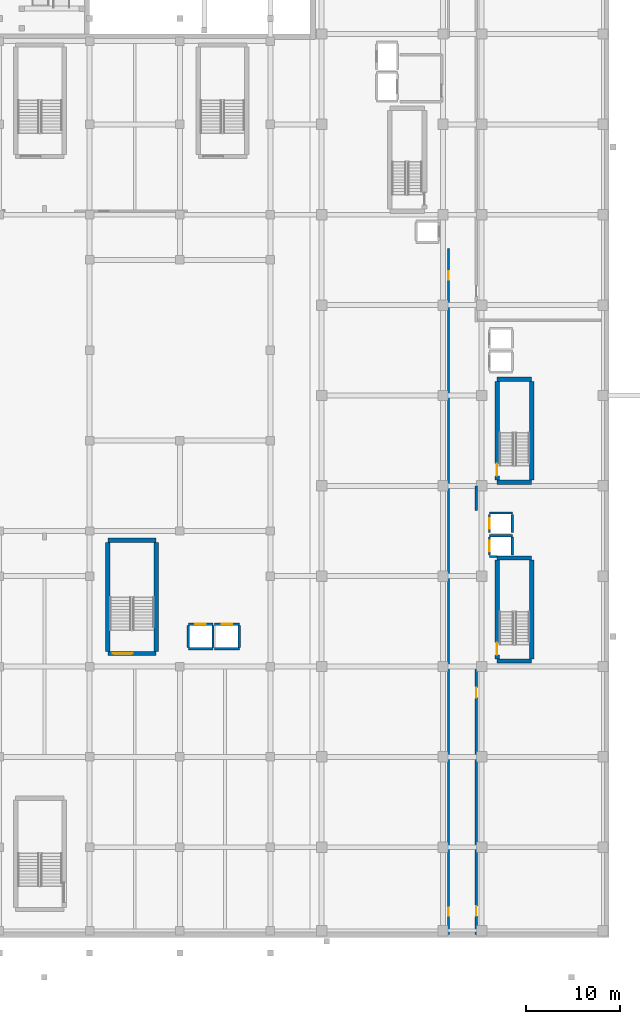
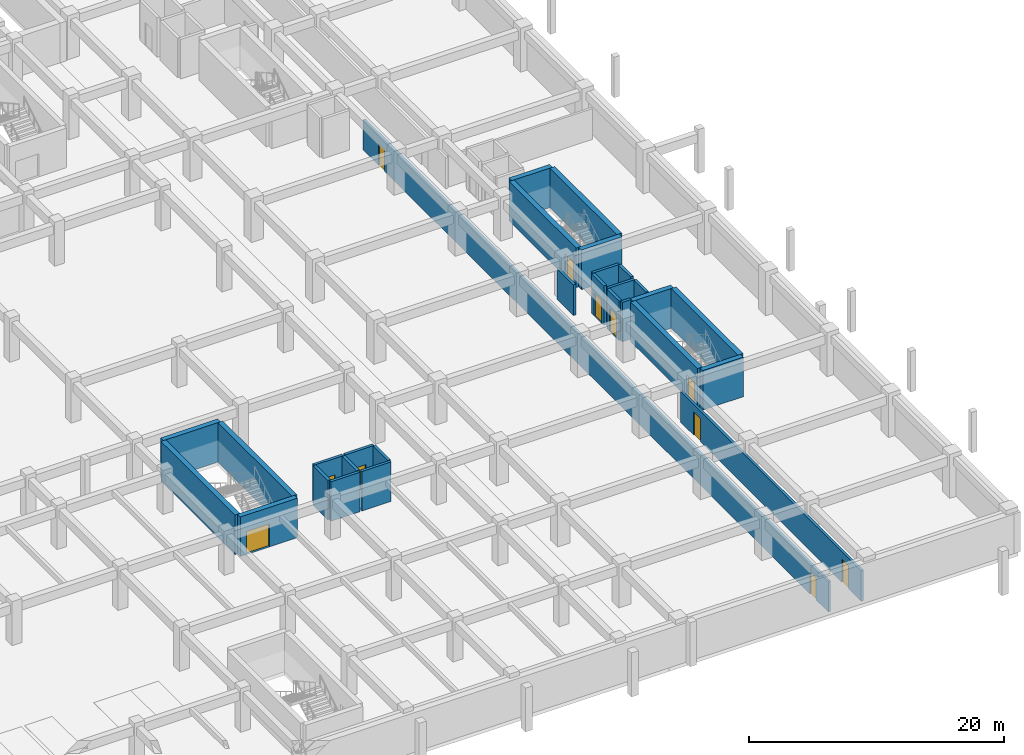
# One storey, part 15 of 39: 29 walls, 11 doors, 11 openings.
"""IFC4 building model written with IfcOpenShell, lengths in metres."""

from ifc_helpers import new_model, si_unit, direction, frame, frame_2d, origin, place, context, subcontext, project, spatial, rectangle, extrude, material, layer, layer_set, type_object, element, fill, save


model = new_model("IFC4")

# Units and contexts
model_context = context("Model", 3, precision=1e-05, world=origin(), true_north=direction((0.0, 1.0)))
body_context = subcontext(model_context, "Body", "Model", "MODEL_VIEW")
ifc_project = project(units=[si_unit("LENGTHUNIT", "METRE"), si_unit("AREAUNIT", "SQUARE_METRE"), si_unit("VOLUMEUNIT", "CUBIC_METRE"), si_unit("PLANEANGLEUNIT", "RADIAN"), si_unit("MASSUNIT", "GRAM", prefix="KILO")], contexts=[model_context])

# Site, building, storey
site_placement = place(None, origin())
site = spatial("IfcSite", under=ifc_project, at=site_placement, CompositionType="ELEMENT")
building_placement = place(site_placement, origin())
building = spatial("IfcBuilding", under=site, at=building_placement, Name="Nakhvara Creek Congress Hotel", CompositionType="ELEMENT")
storey_placement = place(building_placement, frame((0.0, 0.0, -4.199951171875)))
storey = spatial("IfcBuildingStorey", under=building, at=storey_placement, Name="B1", CompositionType="ELEMENT", Elevation=-4.199951171875)

# Walls
ifc_material_1 = material(Name="Concrete C50/60", Category="concrete")
ifc_layer_1 = layer(ifc_material_1, 0.449951171875)
ifc_layer_set_1 = layer_set([ifc_layer_1], Name="Concrete C50/60")
wall_type_1 = type_object("IfcWallType", Name="W-CORE-450", PredefinedType="SHEAR", material=ifc_layer_set_1)
for number, where, z_axis, x_axis, name in (
    (1, (168.10009765625, 29.3798828125, 0.0), (0.0, 0.0, 1.0), (1.0, 0.0, 0.0), "Core Shear Wall WS02-CWALL-B1-0545"),
    (2, (168.10009765625, 40.320068359375, 0.0), (0.0, 0.0, 1.0), (1.0, 0.0, 0.0), "Core Shear Wall WS02-CWALL-B1-0546"),
):
    element("IfcWall", number, at=place(storey_placement, frame(where, z_axis=z_axis, x_axis=x_axis)), inside=storey, type_object=wall_type_1, Name=name, PredefinedType="SHEAR", context=body_context, shape_type="SweptSolid", body=[
        extrude(rectangle(XDim=3.669921875, YDim=0.449951171875, at=frame_2d((1.8349609375, 0.0))), origin(), (0.0, 0.0, 1.0), 3.780029296875),
    ])

# Wall, opening, door
wall_1_placement = place(storey_placement, frame((168.10009765625, 29.60009765625, 0.0), z_axis=(0.0, 0.0, 1.0), x_axis=(0.0, 1.0, 0.0)))
wall_1 = element("IfcWall", 3, at=wall_1_placement, inside=storey, type_object=wall_type_1, Name="Core Shear Wall WS02-CWALL-B1-0547", PredefinedType="SHEAR", context=body_context, shape_type="SweptSolid", body=[
    extrude(rectangle(XDim=10.5, YDim=0.449951171875, at=frame_2d((5.25, 0.0))), origin(), (0.0, 0.0, 1.0), 3.780029296875),
])
opening_1_placement = place(wall_1_placement, frame((0.449951171875, 0.0, 0.0)))
opening_1 = element("IfcOpeningElement", 4, at=opening_1_placement, cuts=wall_1, Name="Opening FD04", PredefinedType="OPENING", context=body_context, shape_type="SweptSolid", body=[
    extrude(rectangle(XDim=1.300048828125, YDim=2.14990234375, at=frame_2d((0.64990234375, 1.074951171875))), frame((0.0, 0.23681640625, 0.0), z_axis=(0.0, -1.0, 0.0), x_axis=(1.0, 0.0, 0.0)), (0.0, 0.0, 1.0), 0.473876953125),
])
ifc_material_2 = material(Name="Powder-coated steel fire door", Category="steel")
door_type_1 = type_object("IfcDoorType", Name="DT-STAIR-130", OperationType="NOTDEFINED", PredefinedType="DOOR", material=ifc_material_2)
door_1_placement = place(opening_1_placement, origin())
door_1 = element("IfcDoor", 5, at=door_1_placement, inside=storey, type_object=door_type_1, Name="Stair Exit Door ST03-B1", OperationType="SINGLE_SWING_RIGHT", OverallHeight=2.14990234375, OverallWidth=1.300048828125, PredefinedType="DOOR", context=body_context, shape_type="SweptSolid", body=[
    extrude(rectangle(XDim=1.300048828125, YDim=2.14990234375, at=frame_2d((0.64990234375, 1.074951171875))), frame((0.0, 0.02490234375, 0.0), z_axis=(0.0, -1.0, 0.0), x_axis=(1.0, 0.0, 0.0)), (0.0, 0.0, 1.0), 0.050048828125),
])
fill(opening_1, door_1)

# Walls
wall_2_placement = place(storey_placement, frame((171.77001953125, 29.60009765625, 0.0), z_axis=(0.0, 0.0, 1.0), x_axis=(0.0, 1.0, 0.0)))
element("IfcWall", 6, at=wall_2_placement, inside=storey, type_object=wall_type_1, Name="Core Shear Wall WS02-CWALL-B1-0548", PredefinedType="SHEAR", context=body_context, shape_type="SweptSolid", body=[
    extrude(rectangle(XDim=10.5, YDim=0.449951171875, at=frame_2d((5.25, 0.0))), origin(), (0.0, 0.0, 1.0), 3.780029296875),
])
for number, where, z_axis, x_axis, name in (
    (7, (168.10009765625, 48.3798828125, 0.0), (0.0, 0.0, 1.0), (1.0, 0.0, 0.0), "Core Shear Wall WS02-CWALL-B1-0632"),
    (8, (168.10009765625, 59.320068359375, 0.0), (0.0, 0.0, 1.0), (1.0, 0.0, 0.0), "Core Shear Wall WS02-CWALL-B1-0633"),
):
    element("IfcWall", number, at=place(storey_placement, frame(where, z_axis=z_axis, x_axis=x_axis)), inside=storey, type_object=wall_type_1, Name=name, PredefinedType="SHEAR", context=body_context, shape_type="SweptSolid", body=[
        extrude(rectangle(XDim=3.669921875, YDim=0.449951171875, at=frame_2d((1.8349609375, 0.0))), origin(), (0.0, 0.0, 1.0), 3.780029296875),
    ])

# Wall, opening, door
wall_3_placement = place(storey_placement, frame((168.10009765625, 48.60009765625, 0.0), z_axis=(0.0, 0.0, 1.0), x_axis=(0.0, 1.0, 0.0)))
wall_3 = element("IfcWall", 9, at=wall_3_placement, inside=storey, type_object=wall_type_1, Name="Core Shear Wall WS02-CWALL-B1-0634", PredefinedType="SHEAR", context=body_context, shape_type="SweptSolid", body=[
    extrude(rectangle(XDim=10.5, YDim=0.449951171875, at=frame_2d((5.25, 0.0))), origin(), (0.0, 0.0, 1.0), 3.780029296875),
])
opening_2_placement = place(wall_3_placement, frame((0.449951171875, 0.0, 0.0)))
opening_2 = element("IfcOpeningElement", 10, at=opening_2_placement, cuts=wall_3, Name="Opening FD04", PredefinedType="OPENING", context=body_context, shape_type="SweptSolid", body=[
    extrude(rectangle(XDim=1.300048828125, YDim=2.14990234375, at=frame_2d((0.64990234375, 1.074951171875))), frame((0.0, 0.23681640625, 0.0), z_axis=(0.0, -1.0, 0.0), x_axis=(1.0, 0.0, 0.0)), (0.0, 0.0, 1.0), 0.473876953125),
])
door_2_placement = place(opening_2_placement, origin())
door_2 = element("IfcDoor", 11, at=door_2_placement, inside=storey, type_object=door_type_1, Name="Stair Exit Door ST04-B1", OperationType="SINGLE_SWING_RIGHT", OverallHeight=2.14990234375, OverallWidth=1.300048828125, PredefinedType="DOOR", context=body_context, shape_type="SweptSolid", body=[
    extrude(rectangle(XDim=1.300048828125, YDim=2.14990234375, at=frame_2d((0.64990234375, 1.074951171875))), frame((0.0, 0.02490234375, 0.0), z_axis=(0.0, -1.0, 0.0), x_axis=(1.0, 0.0, 0.0)), (0.0, 0.0, 1.0), 0.050048828125),
])
fill(opening_2, door_2)

# Wall
wall_4_placement = place(storey_placement, frame((171.77001953125, 48.60009765625, 0.0), z_axis=(0.0, 0.0, 1.0), x_axis=(0.0, 1.0, 0.0)))
element("IfcWall", 12, at=wall_4_placement, inside=storey, type_object=wall_type_1, Name="Core Shear Wall WS02-CWALL-B1-0635", PredefinedType="SHEAR", context=body_context, shape_type="SweptSolid", body=[
    extrude(rectangle(XDim=10.5, YDim=0.449951171875, at=frame_2d((5.25, 0.0))), origin(), (0.0, 0.0, 1.0), 3.780029296875),
])

# Wall, opening, door
wall_5_placement = place(storey_placement, frame((126.72998046875, 30.179931640625, 0.0), z_axis=(0.0, 0.0, 1.0), x_axis=(1.0, 0.0, 0.0)))
wall_5 = element("IfcWall", 13, at=wall_5_placement, inside=storey, type_object=wall_type_1, Name="Core Shear Wall WS02-CWALL-B1-0792", PredefinedType="SHEAR", context=body_context, shape_type="SweptSolid", body=[
    extrude(rectangle(XDim=5.14990234375, YDim=0.449951171875, at=frame_2d((2.574951171875, 0.0))), origin(), (0.0, 0.0, 1.0), 3.780029296875),
])
opening_3_placement = place(wall_5_placement, frame((0.550048828125, 0.0, 0.0)))
opening_3 = element("IfcOpeningElement", 14, at=opening_3_placement, cuts=wall_5, Name="Opening FD19", PredefinedType="OPENING", context=body_context, shape_type="SweptSolid", body=[
    extrude(rectangle(XDim=2.10009765625, YDim=2.199951171875, at=frame_2d((1.050048828125, 1.10009765625))), frame((0.0, 0.23681640625, 0.0), z_axis=(0.0, -1.0, 0.0), x_axis=(1.0, 0.0, 0.0)), (0.0, 0.0, 1.0), 0.473876953125),
])
ifc_material_3 = material(Name="Galvanised steel acoustic fire door", Category="steel")
door_type_2 = type_object("IfcDoorType", Name="DT-STAIR-220", OperationType="DOUBLE_DOOR_SINGLE_SWING", PredefinedType="DOOR", material=ifc_material_3)
door_3_placement = place(opening_3_placement, frame((2.10009765625, 0.0, 0.0), z_axis=(0.0, 0.0, 1.0), x_axis=(-1.0, 0.0, 0.0)))
door_3 = element("IfcDoor", 15, at=door_3_placement, inside=storey, type_object=door_type_2, Name="Stair Exit Door ST06-B1", OperationType="DOUBLE_DOOR_SINGLE_SWING", OverallHeight=2.199951171875, OverallWidth=2.10009765625, PredefinedType="DOOR", context=body_context, shape_type="SweptSolid", body=[
    extrude(rectangle(XDim=2.10009765625, YDim=2.199951171875, at=frame_2d((1.050048828125, 1.10009765625))), frame((0.0, 0.02490234375, 0.0), z_axis=(0.0, -1.0, 0.0), x_axis=(1.0, 0.0, 0.0)), (0.0, 0.0, 1.0), 0.050048828125),
])
fill(opening_3, door_3)

# Walls
wall_6_placement = place(storey_placement, frame((126.72998046875, 42.219970703125, 0.0), z_axis=(0.0, 0.0, 1.0), x_axis=(1.0, 0.0, 0.0)))
element("IfcWall", 16, at=wall_6_placement, inside=storey, type_object=wall_type_1, Name="Core Shear Wall WS02-CWALL-B1-0793", PredefinedType="SHEAR", context=body_context, shape_type="SweptSolid", body=[
    extrude(rectangle(XDim=5.14990234375, YDim=0.449951171875, at=frame_2d((2.574951171875, 0.0))), origin(), (0.0, 0.0, 1.0), 3.780029296875),
])
for number, where, z_axis, x_axis, name in (
    (17, (126.72998046875, 30.39990234375, 0.0), (0.0, 0.0, 1.0), (0.0, 1.0, 0.0), "Core Shear Wall WS02-CWALL-B1-0794"),
    (18, (131.8798828125, 30.39990234375, 0.0), (0.0, 0.0, 1.0), (0.0, 1.0, 0.0), "Core Shear Wall WS02-CWALL-B1-0795"),
):
    element("IfcWall", number, at=place(storey_placement, frame(where, z_axis=z_axis, x_axis=x_axis)), inside=storey, type_object=wall_type_1, Name=name, PredefinedType="SHEAR", context=body_context, shape_type="SweptSolid", body=[
        extrude(rectangle(XDim=11.60009765625, YDim=0.449951171875, at=frame_2d((5.800048828125, 0.0))), origin(), (0.0, 0.0, 1.0), 3.780029296875),
    ])

# Wall, openings, doors
ifc_material_4 = material(Name="Gypsum acoustic board on steel stud", Category="steel")
ifc_layer_2 = layer(ifc_material_4, 0.219970703125)
ifc_layer_set_2 = layer_set([ifc_layer_2], Name="Gypsum acoustic board on steel stud")
wall_type_2 = type_object("IfcWallType", Name="W-CORR-220", PredefinedType="PARTITIONING", material=ifc_layer_set_2)
wall_7_placement = place(storey_placement, frame((162.919921875, 0.35009765625, 0.0), z_axis=(0.0, 0.0, 1.0), x_axis=(0.0, 1.0, 0.0)))
wall_7 = element("IfcWall", 19, at=wall_7_placement, inside=storey, type_object=wall_type_2, Name="Interior Wall WP11-IW-B1-0039", PredefinedType="PARTITIONING", context=body_context, shape_type="SweptSolid", body=[
    extrude(rectangle(XDim=72.849853515625, YDim=0.219970703125, at=frame_2d((36.4248046875, 0.0))), origin(), (0.0, 0.0, 1.0), 2.931884765625),
])
opening_4_placement = place(wall_7_placement, frame((1.949951171875, 0.0, 0.0)))
opening_4 = element("IfcOpeningElement", 20, at=opening_4_placement, cuts=wall_7, Name="Opening ID03", PredefinedType="OPENING", context=body_context, shape_type="SweptSolid", body=[
    extrude(rectangle(XDim=0.89990234375, YDim=2.080078125, at=frame_2d((0.449951171875, 1.0400390625))), frame((0.0, 0.1220703125, 0.0), z_axis=(0.0, -1.0, 0.0), x_axis=(1.0, 0.0, 0.0)), (0.0, 0.0, 1.0), 0.243896484375),
])
opening_5_placement = place(wall_7_placement, frame((69.550048828125, 0.0, 0.0)))
opening_5 = element("IfcOpeningElement", 21, at=opening_5_placement, cuts=wall_7, Name="Opening ID03", PredefinedType="OPENING", context=body_context, shape_type="SweptSolid", body=[
    extrude(rectangle(XDim=0.89990234375, YDim=2.080078125, at=frame_2d((0.449951171875, 1.0400390625))), frame((0.0, 0.1220703125, 0.0), z_axis=(0.0, -1.0, 0.0), x_axis=(1.0, 0.0, 0.0)), (0.0, 0.0, 1.0), 0.243896484375),
])
ifc_material_5 = material(Name="Moisture-resistant laminate timber door", Category="wood")
door_type_3 = type_object("IfcDoorType", Name="DT-WC-090", OperationType="NOTDEFINED", PredefinedType="DOOR", material=ifc_material_5)
door_4_placement = place(opening_4_placement, frame((0.89990234375, 0.0, 0.0), z_axis=(0.0, 0.0, 1.0), x_axis=(-1.0, 0.0, 0.0)))
door_4 = element("IfcDoor", 22, at=door_4_placement, inside=storey, type_object=door_type_3, Name="Interior Door ID03-0049", OperationType="SINGLE_SWING_RIGHT", OverallHeight=2.080078125, OverallWidth=0.89990234375, PredefinedType="DOOR", context=body_context, shape_type="SweptSolid", body=[
    extrude(rectangle(XDim=0.89990234375, YDim=2.080078125, at=frame_2d((0.449951171875, 1.0400390625))), frame((0.0, 0.02490234375, 0.0), z_axis=(0.0, -1.0, 0.0), x_axis=(1.0, 0.0, 0.0)), (0.0, 0.0, 1.0), 0.050048828125),
])
fill(opening_4, door_4)
door_5_placement = place(opening_5_placement, frame((0.89990234375, 0.0, 0.0), z_axis=(0.0, 0.0, 1.0), x_axis=(-1.0, 0.0, 0.0)))
door_5 = element("IfcDoor", 23, at=door_5_placement, inside=storey, type_object=door_type_3, Name="Interior Door ID03-0050", OperationType="SINGLE_SWING_LEFT", OverallHeight=2.080078125, OverallWidth=0.89990234375, PredefinedType="DOOR", context=body_context, shape_type="SweptSolid", body=[
    extrude(rectangle(XDim=0.89990234375, YDim=2.080078125, at=frame_2d((0.449951171875, 1.0400390625))), frame((0.0, 0.02490234375, 0.0), z_axis=(0.0, -1.0, 0.0), x_axis=(1.0, 0.0, 0.0)), (0.0, 0.0, 1.0), 0.050048828125),
])
fill(opening_5, door_5)

wall_8_placement = place(storey_placement, frame((165.8798828125, 0.35009765625, 0.0), z_axis=(0.0, 0.0, 1.0), x_axis=(0.0, 1.0, 0.0)))
wall_8 = element("IfcWall", 24, at=wall_8_placement, inside=storey, type_object=wall_type_2, Name="Interior Wall WP11-IW-B1-0042", PredefinedType="PARTITIONING", context=body_context, shape_type="SweptSolid", body=[
    extrude(rectangle(XDim=28.25, YDim=0.219970703125, at=frame_2d((14.125, 0.0))), origin(), (0.0, 0.0, 1.0), 2.931884765625),
])
opening_6_placement = place(wall_8_placement, frame((1.949951171875, 0.0, 0.0)))
opening_6 = element("IfcOpeningElement", 25, at=opening_6_placement, cuts=wall_8, Name="Opening GD04", PredefinedType="OPENING", context=body_context, shape_type="SweptSolid", body=[
    extrude(rectangle(XDim=1.050048828125, YDim=2.219970703125, at=frame_2d((0.52490234375, 1.10986328125))), frame((0.0, 0.1220703125, 0.0), z_axis=(0.0, -1.0, 0.0), x_axis=(1.0, 0.0, 0.0)), (0.0, 0.0, 1.0), 0.243896484375),
])
opening_7_placement = place(wall_8_placement, frame((25.14990234375, 0.0, 0.0)))
opening_7 = element("IfcOpeningElement", 26, at=opening_7_placement, cuts=wall_8, Name="Opening GD04", PredefinedType="OPENING", context=body_context, shape_type="SweptSolid", body=[
    extrude(rectangle(XDim=1.050048828125, YDim=2.219970703125, at=frame_2d((0.52490234375, 1.10986328125))), frame((0.0, 0.1220703125, 0.0), z_axis=(0.0, -1.0, 0.0), x_axis=(1.0, 0.0, 0.0)), (0.0, 0.0, 1.0), 0.243896484375),
])
ifc_material_6 = material(Name="Walnut hardwood timber fire door", Category="wood")
door_type_4 = type_object("IfcDoorType", Name="DT-GUEST-105", OperationType="NOTDEFINED", PredefinedType="DOOR", material=ifc_material_6)
door_6_placement = place(opening_6_placement, origin())
door_6 = element("IfcDoor", 27, at=door_6_placement, inside=storey, type_object=door_type_4, Name="Interior Door GD04-0051", OperationType="SINGLE_SWING_RIGHT", OverallHeight=2.219970703125, OverallWidth=1.050048828125, PredefinedType="DOOR", context=body_context, shape_type="SweptSolid", body=[
    extrude(rectangle(XDim=1.050048828125, YDim=2.219970703125, at=frame_2d((0.52490234375, 1.10986328125))), frame((0.0, 0.02490234375, 0.0), z_axis=(0.0, -1.0, 0.0), x_axis=(1.0, 0.0, 0.0)), (0.0, 0.0, 1.0), 0.050048828125),
])
fill(opening_6, door_6)
door_7_placement = place(opening_7_placement, origin())
door_7 = element("IfcDoor", 28, at=door_7_placement, inside=storey, type_object=door_type_4, Name="Interior Door GD04-0052", OperationType="SINGLE_SWING_LEFT", OverallHeight=2.219970703125, OverallWidth=1.050048828125, PredefinedType="DOOR", context=body_context, shape_type="SweptSolid", body=[
    extrude(rectangle(XDim=1.050048828125, YDim=2.219970703125, at=frame_2d((0.52490234375, 1.10986328125))), frame((0.0, 0.02490234375, 0.0), z_axis=(0.0, -1.0, 0.0), x_axis=(1.0, 0.0, 0.0)), (0.0, 0.0, 1.0), 0.050048828125),
])
fill(opening_7, door_7)

# Walls
wall_9_placement = place(storey_placement, frame((165.8798828125, 45.39990234375, 0.0), z_axis=(0.0, 0.0, 1.0), x_axis=(0.0, 1.0, 0.0)))
element("IfcWall", 29, at=wall_9_placement, inside=storey, type_object=wall_type_2, Name="Interior Wall WP11-IW-B1-0043", PredefinedType="PARTITIONING", context=body_context, shape_type="SweptSolid", body=[
    extrude(rectangle(XDim=2.60009765625, YDim=0.219970703125, at=frame_2d((1.300048828125, 0.0))), origin(), (0.0, 0.0, 1.0), 2.931884765625),
])
ifc_material_7 = material(Name="Concrete C40/50", Category="concrete")
ifc_layer_3 = layer(ifc_material_7, 0.25)
ifc_layer_set_3 = layer_set([ifc_layer_3], Name="Concrete C40/50")
wall_type_3 = type_object("IfcWallType", Name="W-SHAFT-250", PredefinedType="SOLIDWALL", material=ifc_layer_set_3)
wall_10_placement = place(storey_placement, frame((167.2900390625, 40.489990234375, 0.0), z_axis=(0.0, 0.0, 1.0), x_axis=(1.0, 0.0, 0.0)))
element("IfcWall", 30, at=wall_10_placement, inside=storey, type_object=wall_type_3, Name="Core Shear Wall WI02-CWALL-B1-0549", PredefinedType="SOLIDWALL", context=body_context, shape_type="SweptSolid", body=[
    extrude(rectangle(XDim=0.800048828125, YDim=0.25, at=frame_2d((0.39990234375, 0.0))), origin(), (0.0, 0.0, 1.0), 3.780029296875),
])
wall_11_placement = place(storey_placement, frame((167.2900390625, 42.7099609375, 0.0), z_axis=(0.0, 0.0, 1.0), x_axis=(1.0, 0.0, 0.0)))
element("IfcWall", 31, at=wall_11_placement, inside=storey, type_object=wall_type_3, Name="Core Shear Wall WI02-CWALL-B1-0550", PredefinedType="SOLIDWALL", context=body_context, shape_type="SweptSolid", body=[
    extrude(rectangle(XDim=2.419921875, YDim=0.25, at=frame_2d((1.2099609375, 0.0))), origin(), (0.0, 0.0, 1.0), 3.780029296875),
])

# Wall, opening, door
wall_12_placement = place(storey_placement, frame((167.2900390625, 40.64990234375, 0.0), z_axis=(0.0, 0.0, 1.0), x_axis=(0.0, 1.0, 0.0)))
wall_12 = element("IfcWall", 32, at=wall_12_placement, inside=storey, type_object=wall_type_3, Name="Core Shear Wall WI02-CWALL-B1-0551", PredefinedType="SOLIDWALL", context=body_context, shape_type="SweptSolid", body=[
    extrude(rectangle(XDim=1.900146484375, YDim=0.25, at=frame_2d((0.9501953125, 0.0))), origin(), (0.0, 0.0, 1.0), 3.780029296875),
])
opening_8_placement = place(wall_12_placement, frame((0.39990234375, 0.0, 0.0)))
opening_8 = element("IfcOpeningElement", 33, at=opening_8_placement, cuts=wall_12, Name="Opening LD01", PredefinedType="OPENING", context=body_context, shape_type="SweptSolid", body=[
    extrude(rectangle(XDim=1.10009765625, YDim=2.199951171875, at=frame_2d((0.550048828125, 1.10009765625))), frame((0.0, 0.136962890625, 0.0), z_axis=(0.0, -1.0, 0.0), x_axis=(1.0, 0.0, 0.0)), (0.0, 0.0, 1.0), 0.27392578125),
])
ifc_material_8 = material(Name="Brushed stainless steel sliding landing door", Category="steel")
door_type_5 = type_object("IfcDoorType", Name="DT-LIFT-110", OperationType="DOUBLE_DOOR_SLIDING", PredefinedType="DOOR", material=ifc_material_8)
door_8_placement = place(opening_8_placement, origin())
door_8 = element("IfcDoor", 34, at=door_8_placement, inside=storey, type_object=door_type_5, Name="Landing Door PL03-B1", OperationType="SLIDING_TO_LEFT", OverallHeight=2.199951171875, OverallWidth=1.10009765625, PredefinedType="DOOR", context=body_context, shape_type="SweptSolid", body=[
    extrude(rectangle(XDim=1.10009765625, YDim=2.199951171875, at=frame_2d((0.550048828125, 1.10009765625))), frame((0.0, 0.02490234375, 0.0), z_axis=(0.0, -1.0, 0.0), x_axis=(1.0, 0.0, 0.0)), (0.0, 0.0, 1.0), 0.050048828125),
])
fill(opening_8, door_8)

# Walls
wall_13_placement = place(storey_placement, frame((169.7099609375, 40.64990234375, 0.0), z_axis=(0.0, 0.0, 1.0), x_axis=(0.0, 1.0, 0.0)))
element("IfcWall", 35, at=wall_13_placement, inside=storey, type_object=wall_type_3, Name="Core Shear Wall WI02-CWALL-B1-0552", PredefinedType="SOLIDWALL", context=body_context, shape_type="SweptSolid", body=[
    extrude(rectangle(XDim=1.900146484375, YDim=0.25, at=frame_2d((0.9501953125, 0.0))), origin(), (0.0, 0.0, 1.0), 3.780029296875),
])
wall_14_placement = place(storey_placement, frame((167.2900390625, 45.110107421875, 0.0), z_axis=(0.0, 0.0, 1.0), x_axis=(1.0, 0.0, 0.0)))
element("IfcWall", 36, at=wall_14_placement, inside=storey, type_object=wall_type_3, Name="Core Shear Wall WI02-CWALL-B1-0553", PredefinedType="SOLIDWALL", context=body_context, shape_type="SweptSolid", body=[
    extrude(rectangle(XDim=2.419921875, YDim=0.25, at=frame_2d((1.2099609375, 0.0))), origin(), (0.0, 0.0, 1.0), 3.780029296875),
])

# Wall, opening, door
wall_15_placement = place(storey_placement, frame((167.2900390625, 43.050048828125, 0.0), z_axis=(0.0, 0.0, 1.0), x_axis=(0.0, 1.0, 0.0)))
wall_15 = element("IfcWall", 37, at=wall_15_placement, inside=storey, type_object=wall_type_3, Name="Core Shear Wall WI02-CWALL-B1-0554", PredefinedType="SOLIDWALL", context=body_context, shape_type="SweptSolid", body=[
    extrude(rectangle(XDim=1.89990234375, YDim=0.25, at=frame_2d((0.949951171875, 0.0))), origin(), (0.0, 0.0, 1.0), 3.780029296875),
])
opening_9_placement = place(wall_15_placement, frame((0.39990234375, 0.0, 0.0)))
opening_9 = element("IfcOpeningElement", 38, at=opening_9_placement, cuts=wall_15, Name="Opening LD01", PredefinedType="OPENING", context=body_context, shape_type="SweptSolid", body=[
    extrude(rectangle(XDim=1.10009765625, YDim=2.199951171875, at=frame_2d((0.550048828125, 1.10009765625))), frame((0.0, 0.136962890625, 0.0), z_axis=(0.0, -1.0, 0.0), x_axis=(1.0, 0.0, 0.0)), (0.0, 0.0, 1.0), 0.27392578125),
])
door_9_placement = place(opening_9_placement, origin())
door_9 = element("IfcDoor", 39, at=door_9_placement, inside=storey, type_object=door_type_5, Name="Landing Door PL04-B1", OperationType="SLIDING_TO_LEFT", OverallHeight=2.199951171875, OverallWidth=1.10009765625, PredefinedType="DOOR", context=body_context, shape_type="SweptSolid", body=[
    extrude(rectangle(XDim=1.10009765625, YDim=2.199951171875, at=frame_2d((0.550048828125, 1.10009765625))), frame((0.0, 0.02490234375, 0.0), z_axis=(0.0, -1.0, 0.0), x_axis=(1.0, 0.0, 0.0)), (0.0, 0.0, 1.0), 0.050048828125),
])
fill(opening_9, door_9)

# Walls
wall_16_placement = place(storey_placement, frame((169.7099609375, 43.050048828125, 0.0), z_axis=(0.0, 0.0, 1.0), x_axis=(0.0, 1.0, 0.0)))
element("IfcWall", 40, at=wall_16_placement, inside=storey, type_object=wall_type_3, Name="Core Shear Wall WI02-CWALL-B1-0555", PredefinedType="SOLIDWALL", context=body_context, shape_type="SweptSolid", body=[
    extrude(rectangle(XDim=1.89990234375, YDim=0.25, at=frame_2d((0.949951171875, 0.0))), origin(), (0.0, 0.0, 1.0), 3.780029296875),
])
wall_17_placement = place(storey_placement, frame((135.2900390625, 30.68994140625, 0.0), z_axis=(0.0, 0.0, 1.0), x_axis=(1.0, 0.0, 0.0)))
element("IfcWall", 41, at=wall_17_placement, inside=storey, type_object=wall_type_3, Name="Core Shear Wall WI02-CWALL-B1-0796", PredefinedType="SOLIDWALL", context=body_context, shape_type="SweptSolid", body=[
    extrude(rectangle(XDim=2.619873046875, YDim=0.25, at=frame_2d((1.31005859375, 0.0))), origin(), (0.0, 0.0, 1.0), 3.780029296875),
])

# Wall, opening, door
wall_18_placement = place(storey_placement, frame((135.2900390625, 33.31005859375, 0.0), z_axis=(0.0, 0.0, 1.0), x_axis=(1.0, 0.0, 0.0)))
wall_18 = element("IfcWall", 42, at=wall_18_placement, inside=storey, type_object=wall_type_3, Name="Core Shear Wall WI02-CWALL-B1-0797", PredefinedType="SOLIDWALL", context=body_context, shape_type="SweptSolid", body=[
    extrude(rectangle(XDim=2.619873046875, YDim=0.25, at=frame_2d((1.31005859375, 0.0))), origin(), (0.0, 0.0, 1.0), 3.780029296875),
])
opening_10_placement = place(wall_18_placement, frame((0.760009765625, 0.0, 0.0)))
opening_10 = element("IfcOpeningElement", 43, at=opening_10_placement, cuts=wall_18, Name="Opening LD01", PredefinedType="OPENING", context=body_context, shape_type="SweptSolid", body=[
    extrude(rectangle(XDim=1.10009765625, YDim=2.199951171875, at=frame_2d((0.550048828125, 1.10009765625))), frame((0.0, 0.136962890625, 0.0), z_axis=(0.0, -1.0, 0.0), x_axis=(1.0, 0.0, 0.0)), (0.0, 0.0, 1.0), 0.27392578125),
])
door_10_placement = place(opening_10_placement, origin())
door_10 = element("IfcDoor", 44, at=door_10_placement, inside=storey, type_object=door_type_5, Name="Landing Door CL03-B1", OperationType="SLIDING_TO_LEFT", OverallHeight=2.199951171875, OverallWidth=1.10009765625, PredefinedType="DOOR", context=body_context, shape_type="SweptSolid", body=[
    extrude(rectangle(XDim=1.10009765625, YDim=2.199951171875, at=frame_2d((0.550048828125, 1.10009765625))), frame((0.0, 0.02490234375, 0.0), z_axis=(0.0, -1.0, 0.0), x_axis=(1.0, 0.0, 0.0)), (0.0, 0.0, 1.0), 0.050048828125),
])
fill(opening_10, door_10)

# Walls
for number, where, z_axis, x_axis, name in (
    (45, (135.2900390625, 30.85009765625, 0.0), (0.0, 0.0, 1.0), (0.0, 1.0, 0.0), "Core Shear Wall WI02-CWALL-B1-0798"),
    (46, (137.909912109375, 30.85009765625, 0.0), (0.0, 0.0, 1.0), (0.0, 1.0, 0.0), "Core Shear Wall WI02-CWALL-B1-0799"),
):
    element("IfcWall", number, at=place(storey_placement, frame(where, z_axis=z_axis, x_axis=x_axis)), inside=storey, type_object=wall_type_3, Name=name, PredefinedType="SOLIDWALL", context=body_context, shape_type="SweptSolid", body=[
        extrude(rectangle(XDim=2.2998046875, YDim=0.25, at=frame_2d((1.14990234375, 0.0))), origin(), (0.0, 0.0, 1.0), 3.780029296875),
    ])
wall_19_placement = place(storey_placement, frame((138.090087890625, 30.68994140625, 0.0), z_axis=(0.0, 0.0, 1.0), x_axis=(1.0, 0.0, 0.0)))
element("IfcWall", 47, at=wall_19_placement, inside=storey, type_object=wall_type_3, Name="Core Shear Wall WI02-CWALL-B1-0800", PredefinedType="SOLIDWALL", context=body_context, shape_type="SweptSolid", body=[
    extrude(rectangle(XDim=2.619873046875, YDim=0.25, at=frame_2d((1.31005859375, 0.0))), origin(), (0.0, 0.0, 1.0), 3.780029296875),
])

# Wall, opening, door
wall_20_placement = place(storey_placement, frame((138.090087890625, 33.31005859375, 0.0), z_axis=(0.0, 0.0, 1.0), x_axis=(1.0, 0.0, 0.0)))
wall_20 = element("IfcWall", 48, at=wall_20_placement, inside=storey, type_object=wall_type_3, Name="Core Shear Wall WI02-CWALL-B1-0801", PredefinedType="SOLIDWALL", context=body_context, shape_type="SweptSolid", body=[
    extrude(rectangle(XDim=2.619873046875, YDim=0.25, at=frame_2d((1.31005859375, 0.0))), origin(), (0.0, 0.0, 1.0), 3.780029296875),
])
opening_11_placement = place(wall_20_placement, frame((0.760009765625, 0.0, 0.0)))
opening_11 = element("IfcOpeningElement", 49, at=opening_11_placement, cuts=wall_20, Name="Opening LD01", PredefinedType="OPENING", context=body_context, shape_type="SweptSolid", body=[
    extrude(rectangle(XDim=1.10009765625, YDim=2.199951171875, at=frame_2d((0.550048828125, 1.10009765625))), frame((0.0, 0.136962890625, 0.0), z_axis=(0.0, -1.0, 0.0), x_axis=(1.0, 0.0, 0.0)), (0.0, 0.0, 1.0), 0.27392578125),
])
door_11_placement = place(opening_11_placement, origin())
door_11 = element("IfcDoor", 50, at=door_11_placement, inside=storey, type_object=door_type_5, Name="Landing Door CL04-B1", OperationType="SLIDING_TO_LEFT", OverallHeight=2.199951171875, OverallWidth=1.10009765625, PredefinedType="DOOR", context=body_context, shape_type="SweptSolid", body=[
    extrude(rectangle(XDim=1.10009765625, YDim=2.199951171875, at=frame_2d((0.550048828125, 1.10009765625))), frame((0.0, 0.02490234375, 0.0), z_axis=(0.0, -1.0, 0.0), x_axis=(1.0, 0.0, 0.0)), (0.0, 0.0, 1.0), 0.050048828125),
])
fill(opening_11, door_11)

# Wall
wall_21_placement = place(storey_placement, frame((140.7099609375, 30.85009765625, 0.0), z_axis=(0.0, 0.0, 1.0), x_axis=(0.0, 1.0, 0.0)))
element("IfcWall", 51, at=wall_21_placement, inside=storey, type_object=wall_type_3, Name="Core Shear Wall WI02-CWALL-B1-0802", PredefinedType="SOLIDWALL", context=body_context, shape_type="SweptSolid", body=[
    extrude(rectangle(XDim=2.2998046875, YDim=0.25, at=frame_2d((1.14990234375, 0.0))), origin(), (0.0, 0.0, 1.0), 3.780029296875),
])

save(model, "model.ifc")
